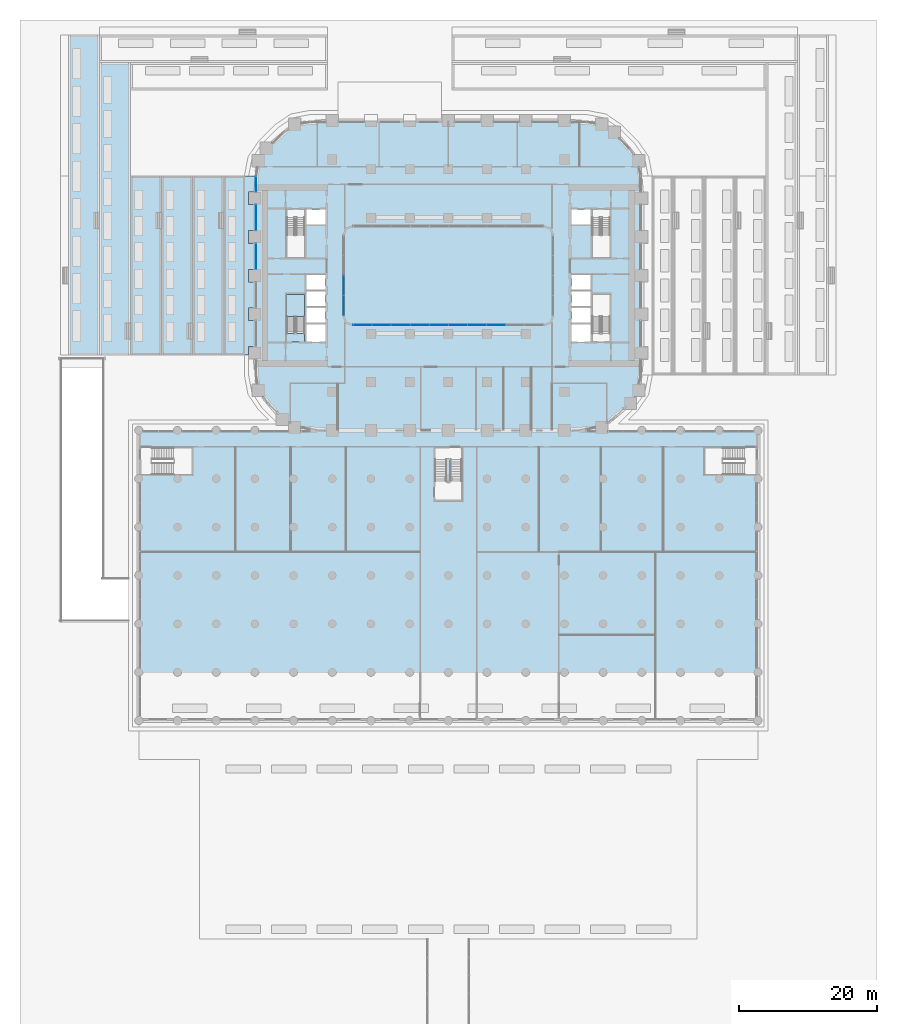
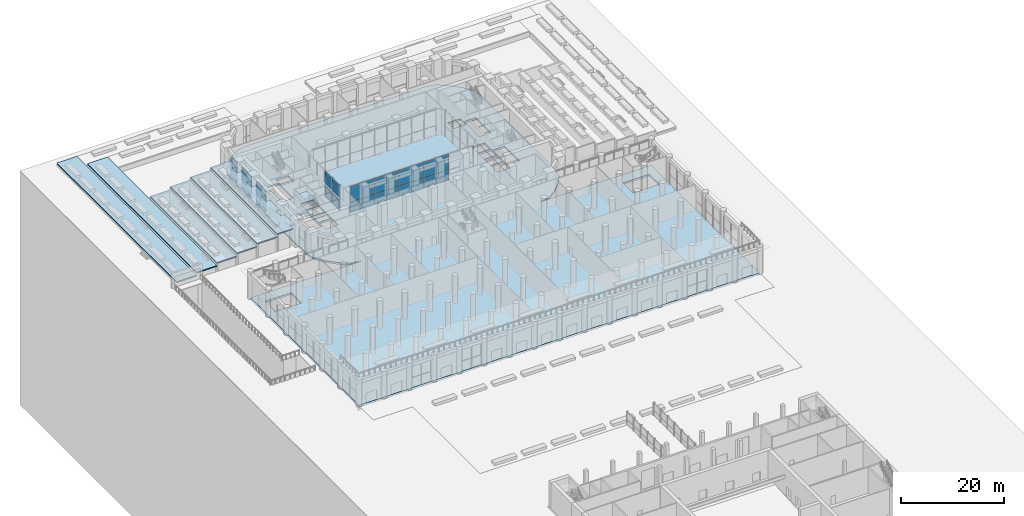
# One storey, part 24 of 51: 26 plates, 10 slabs, 6 elements without a shape of their own.
"""IFC4 building model written with IfcOpenShell, lengths in metres."""

import ifcopenshell
import ifcopenshell.guid

model = None  # the IFC model being written
_history = None  # IfcOwnerHistory: only IFC2X3 demands one
_inside = {}  # id of a spatial element -> (the spatial element, [elements in it])
_under = {}  # id of a project, library or spatial element -> (it, [spatial elements below it])
_declared = {}  # id of a project -> (the project, [libraries it declares])
_typed = {}  # id of a type object -> (the type object, [elements of that type])
_made_of = {}  # id of a material, layer set ... -> (it, [elements and type objects made of it])


def new_model(schema):
    """Start an empty IFC model of exactly this schema.

    Asked for "IFC4X3", IfcOpenShell would pick the latest addendum, in which some entities
    have other attributes; the version numbers below select the first issue.
    IFC2X3 requires an IfcOwnerHistory on every rooted entity: one is made here for all.
    """
    global model, _history
    if schema == "IFC4X3":
        model = ifcopenshell.file(schema_version=(4, 3, 0, 0))
    else:
        model = ifcopenshell.file(schema=schema)
    _inside.clear()
    _under.clear()
    _declared.clear()
    _typed.clear()
    _made_of.clear()
    _history = None
    if model.schema == "IFC2X3":
        org = make("IfcOrganization", Name="unknown")
        user = make(
            "IfcPersonAndOrganization",
            ThePerson=make("IfcPerson", FamilyName="unknown"),
            TheOrganization=org,
        )
        app = make(
            "IfcApplication",
            ApplicationDeveloper=org,
            Version="unknown",
            ApplicationFullName="unknown",
            ApplicationIdentifier="unknown",
        )
        _history = make(
            "IfcOwnerHistory",
            OwningUser=user,
            OwningApplication=app,
            ChangeAction="ADDED",
            CreationDate=0,
        )
    return model


def make(cls, **values):
    """One entity of the class cls with the attributes given. An attribute that is None is left unset."""
    return model.create_entity(
        cls, **{name: value for name, value in values.items() if value is not None}
    )


def rooted(cls, **values):
    """An entity with a GlobalId (a new one), such as an element, a storey or a relation."""
    return make(cls, GlobalId=ifcopenshell.guid.new(), OwnerHistory=_history, **values)


def si_unit(unit_type, name, prefix=None):
    """IfcSIUnit, for example si_unit("LENGTHUNIT", "METRE", prefix="MILLI")."""
    return make("IfcSIUnit", UnitType=unit_type, Prefix=prefix, Name=name)


def assignment(units):
    """IfcUnitAssignment: the units of a project."""
    return None if units is None else make("IfcUnitAssignment", Units=units)


def point(xyz):
    """IfcCartesianPoint."""
    return None if xyz is None else make("IfcCartesianPoint", Coordinates=xyz)


def direction(xyz):
    """IfcDirection."""
    return None if xyz is None else make("IfcDirection", DirectionRatios=xyz)


def frame(location, z_axis=None, x_axis=None):
    """IfcAxis2Placement3D, a coordinate frame: its origin and axes. An axis left out is left unset."""
    return make(
        "IfcAxis2Placement3D",
        Location=point(location),
        Axis=direction(z_axis),
        RefDirection=direction(x_axis),
    )


def frame_2d(location, x_axis=None):
    """IfcAxis2Placement2D, a coordinate frame in the plane: its origin and x axis."""
    return make(
        "IfcAxis2Placement2D", Location=point(location), RefDirection=direction(x_axis)
    )


def origin():
    """The frame at (0, 0, 0) with its axes left unset."""
    return frame((0.0, 0.0, 0.0))


def origin_2d():
    """The frame at (0, 0) in the plane with its x axis left unset."""
    return frame_2d((0.0, 0.0))


def place(relative_to, where):
    """IfcLocalPlacement: puts the frame where relative to a parent placement (None: the world)."""
    return make(
        "IfcLocalPlacement", PlacementRelTo=relative_to, RelativePlacement=where
    )


def context(
    kind, dimensions, precision=None, world=None, true_north=None, identifier=None
):
    """IfcGeometricRepresentationContext, for example the 3D "Model" context."""
    return make(
        "IfcGeometricRepresentationContext",
        ContextIdentifier=identifier,
        ContextType=kind,
        CoordinateSpaceDimension=dimensions,
        Precision=precision,
        WorldCoordinateSystem=world,
        TrueNorth=true_north,
    )


def subcontext(parent, identifier, kind, view, scale=None):
    """IfcGeometricRepresentationSubContext, for example "Body" below "Model"."""
    return make(
        "IfcGeometricRepresentationSubContext",
        ContextIdentifier=identifier,
        ContextType=kind,
        ParentContext=parent,
        TargetScale=scale,
        TargetView=view,
    )


def project(units=None, contexts=None):
    """IfcProject with its units and contexts."""
    return rooted(
        "IfcProject",
        Name="project",
        RepresentationContexts=contexts,
        UnitsInContext=assignment(units),
    )


def spatial(cls, under=None, at=None, **own):
    """A site, building, storey or space (cls), placed at a placement, below another one or the project."""
    s = rooted(cls, ObjectPlacement=at, **own)
    if under is not None:
        _under.setdefault(under.id(), (under, []))[1].append(s)
    return s


def polyline(points):
    """IfcPolyline through the points."""
    return make("IfcPolyline", Points=[point(p) for p in points])


def profile(cls, at=None, kind="AREA", **sizes):
    """A parametric profile (cls). Its sizes go by their IFC names, for example OverallWidth=200.0."""
    return make(cls, ProfileType=kind, Position=at, **sizes)


def rectangle(**sizes):
    """IfcRectangleProfileDef."""
    return profile("IfcRectangleProfileDef", **sizes)


def outline(outer, holes=None, kind="AREA"):
    """IfcArbitraryClosedProfileDef: a profile drawn as a closed curve; with holes, ...WithVoids."""
    if holes is None:
        return make("IfcArbitraryClosedProfileDef", ProfileType=kind, OuterCurve=outer)
    return make(
        "IfcArbitraryProfileDefWithVoids",
        ProfileType=kind,
        OuterCurve=outer,
        InnerCurves=holes,
    )


def extrude(swept, where, along, depth):
    """IfcExtrudedAreaSolid: the profile swept, set in the frame where, extruded along a direction by depth."""
    return make(
        "IfcExtrudedAreaSolid",
        SweptArea=swept,
        Position=where,
        ExtrudedDirection=direction(along),
        Depth=depth,
    )


def shape(context_of_items, identifier, shape_type, items):
    """IfcShapeRepresentation: the items that make up one representation, for example the "Body"."""
    return make(
        "IfcShapeRepresentation",
        ContextOfItems=context_of_items,
        RepresentationIdentifier=identifier,
        RepresentationType=shape_type,
        Items=items,
    )


def material(Name=None, Category=None):
    """IfcMaterial."""
    return make("IfcMaterial", Name=Name, Category=Category)


def layer(
    of_material, thickness, ventilated=None, Name=None, Category=None, Priority=None
):
    """IfcMaterialLayer: one layer of a wall or slab, of a material (None: an air gap)."""
    return make(
        "IfcMaterialLayer",
        Material=of_material,
        LayerThickness=thickness,
        IsVentilated=ventilated,
        Name=Name,
        Category=Category,
        Priority=Priority,
    )


def layer_set(layers, Name=None):
    """IfcMaterialLayerSet."""
    return make("IfcMaterialLayerSet", MaterialLayers=layers, LayerSetName=Name)


def made_of(thing, what):
    """Note that an element or type object is made of a material, layer set ...; save() writes the relation."""
    if what is not None:
        _made_of.setdefault(what.id(), (what, []))[1].append(thing)
    return thing


def type_object(cls, material=None, **own):
    """A type object (cls), such as IfcWallType, which elements share."""
    return made_of(rooted(cls, **own), material)


def element(
    cls,
    number,
    at=None,
    inside=None,
    cuts=None,
    type_object=None,
    material=None,
    context=None,
    identifier="Body",
    shape_type=None,
    held_by="IfcProductDefinitionShape",
    body=None,
    shapes=None,
    **own,
):
    """One element of the class cls, such as IfcWall. Its Tag is "e" and its number.

    at: its placement. inside: the storey or other place that contains it. cuts: it is an
    opening in that element (IfcRelVoidsElement). A single representation is given by context,
    identifier, shape_type and body (its items); several are given by shapes. held_by: the class
    of the entity that holds the representations. save() writes the other relations.
    """
    e = rooted(cls, Tag="e%d" % number, ObjectPlacement=at, **own)
    if body is not None:
        shapes = [shape(context, identifier, shape_type, body)]
    if shapes is not None:
        e.Representation = make(held_by, Representations=shapes)
    if inside is not None:
        _inside.setdefault(inside.id(), (inside, []))[1].append(e)
    if cuts is not None:
        rooted(
            "IfcRelVoidsElement", RelatingBuildingElement=cuts, RelatedOpeningElement=e
        )
    if type_object is not None:
        _typed.setdefault(type_object.id(), (type_object, []))[1].append(e)
    return made_of(e, material)


def aggregate(whole, parts):
    """IfcRelAggregates: a whole, such as a stair, and the parts it consists of."""
    return rooted("IfcRelAggregates", RelatingObject=whole, RelatedObjects=parts)


def save(model, path):
    """Write the relations noted so far, then the file.

    IfcRelAggregates (storeys below a building ...), IfcRelContainedInSpatialStructure (elements
    in a storey), IfcRelDefinesByType, IfcRelAssociatesMaterial and IfcRelDeclares: one each for
    every whole, place, type object, material and project.
    """
    for whole, parts in _under.values():
        aggregate(whole, parts)
    for where, things in _inside.values():
        rooted(
            "IfcRelContainedInSpatialStructure",
            RelatedElements=things,
            RelatingStructure=where,
        )
    for kind, things in _typed.values():
        rooted("IfcRelDefinesByType", RelatedObjects=things, RelatingType=kind)
    for what, things in _made_of.values():
        rooted("IfcRelAssociatesMaterial", RelatedObjects=things, RelatingMaterial=what)
    for by, libraries in _declared.values():
        rooted("IfcRelDeclares", RelatingContext=by, RelatedDefinitions=libraries)
    model.write(path)


model = new_model("IFC4")

# Units and contexts
model_context = context("Model", 3, precision=1e-05, world=origin(), true_north=direction((0.0, 1.0)))
body_context = subcontext(model_context, "Body", "Model", "MODEL_VIEW")
ifc_project = project(units=[si_unit("LENGTHUNIT", "METRE"), si_unit("AREAUNIT", "SQUARE_METRE"), si_unit("VOLUMEUNIT", "CUBIC_METRE"), si_unit("PLANEANGLEUNIT", "RADIAN"), si_unit("MASSUNIT", "GRAM", prefix="KILO")], contexts=[model_context])

# Site, building, storey
site_placement = place(None, origin())
site = spatial("IfcSite", under=ifc_project, at=site_placement, CompositionType="ELEMENT")
building_placement = place(site_placement, origin())
building = spatial("IfcBuilding", under=site, at=building_placement, Name="Kiln Ring Residences", CompositionType="ELEMENT")
storey_placement = place(building_placement, origin())
storey = spatial("IfcBuildingStorey", under=building, at=storey_placement, Name="L00", CompositionType="ELEMENT", Elevation=0.0)

# Stair, slabs
ifc_material_1 = material(Name="Concrete C40/50", Category="concrete")
stair_type = type_object("IfcStairType", Name="CORE-STAIR", PredefinedType="HALF_TURN_STAIR", material=ifc_material_1)
placement = place(storey_placement, origin())
stair = element("IfcStair", 1, at=placement, inside=storey, type_object=stair_type, Name="L00 stair W-STS", PredefinedType="HALF_TURN_STAIR")
ifc_material_2 = material(Name="Concrete C40/50", Category="concrete")
ifc_layer_1 = layer(ifc_material_2, 0.199951171875)
ifc_layer_set_1 = layer_set([ifc_layer_1], Name="CORE-STAIR-LANDING")
slab_type_1 = type_object("IfcSlabType", Name="CORE-STAIR-LANDING", PredefinedType="LANDING", material=ifc_layer_set_1)
slab_1_placement = place(storey_placement, frame((0.0, 0.0, 1.425048828125)))
slab_1 = element("IfcSlab", 2, at=slab_1_placement, type_object=slab_type_1, Name="W-STS landing 1", PredefinedType="LANDING", context=body_context, shape_type="SweptSolid", body=[
    extrude(outline(polyline([(-20.800048828125, -5.8798828125), (-20.800048828125, -2.699951171875), (-23.39990234375, -2.699951171875), (-23.39990234375, -5.8798828125), (-20.800048828125, -5.8798828125)])), origin(), (0.0, 0.0, 1.0), 0.199951171875),
])
slab_2_placement = place(storey_placement, frame((0.0, 0.0, 3.050048828125)))
slab_2 = element("IfcSlab", 3, at=slab_2_placement, type_object=slab_type_1, Name="W-STS landing 2", PredefinedType="LANDING", context=body_context, shape_type="SweptSolid", body=[
    extrude(outline(polyline([(-20.800048828125, -9.60009765625), (-20.800048828125, -8.39990234375), (-23.39990234375, -8.39990234375), (-23.39990234375, -9.60009765625), (-20.800048828125, -9.60009765625)])), origin(), (0.0, 0.0, 1.0), 0.199951171875),
])
slab_3_placement = place(storey_placement, frame((0.0, 0.0, 4.675048828125)))
slab_3 = element("IfcSlab", 4, at=slab_3_placement, type_object=slab_type_1, Name="W-STS landing 3", PredefinedType="LANDING", context=body_context, shape_type="SweptSolid", body=[
    extrude(outline(polyline([(-20.800048828125, -5.8798828125), (-20.800048828125, -2.699951171875), (-23.39990234375, -2.699951171875), (-23.39990234375, -5.8798828125), (-20.800048828125, -5.8798828125)])), origin(), (0.0, 0.0, 1.0), 0.199951171875),
])
aggregate(stair, [slab_1, slab_2, slab_3])

# Curtain wall, plates
ifc_material_3 = material(Name="Aluminium and glass", Category="aluminium")
ifc_layer_2 = layer(ifc_material_3, 0.179931640625)
ifc_layer_set_2 = layer_set([ifc_layer_2], Name="CW2 CURTAIN WALL")
curtain_wall_type = type_object("IfcCurtainWallType", Name="CW2 CURTAIN WALL", PredefinedType="NOTDEFINED", material=ifc_layer_set_2)
curtain_wall_1 = element("IfcCurtainWall", 5, at=placement, inside=storey, type_object=curtain_wall_type, Name="Curtain wall CW2 L00", PredefinedType="NOTDEFINED")
ifc_material_4 = material(Name="Glass, clear toughened", Category="glass")
ifc_layer_3 = layer(ifc_material_4, 0.02392578125)
ifc_layer_set_3 = layer_set([ifc_layer_3], Name="CW2 PANEL 24")
plate_type = type_object("IfcPlateType", Name="CW2 PANEL 24", PredefinedType="CURTAIN_PANEL", material=ifc_layer_set_3)
plate_1_placement = place(storey_placement, frame((-27.85009765625, 13.25, 0.0498046875), z_axis=(0.0, 0.0, 1.0), x_axis=(0.0, -1.0, 0.0)))
plate_1 = element("IfcPlate", 6, at=plate_1_placement, type_object=plate_type, Name="CW2 panel 1.1", PredefinedType="CURTAIN_PANEL", context=body_context, shape_type="SweptSolid", body=[
    extrude(rectangle(XDim=2.199951171875, YDim=0.02392578125, at=origin_2d()), origin(), (0.0, 0.0, 1.0), 2.324951171875),
])
plate_2_placement = place(storey_placement, frame((-27.85009765625, 13.25, 2.425048828125), z_axis=(0.0, 0.0, 1.0), x_axis=(0.0, -1.0, 0.0)))
plate_2 = element("IfcPlate", 7, at=plate_2_placement, type_object=plate_type, Name="CW2 panel 1.2", PredefinedType="CURTAIN_PANEL", context=body_context, shape_type="SweptSolid", body=[
    extrude(rectangle(XDim=2.199951171875, YDim=0.02392578125, at=origin_2d()), origin(), (0.0, 0.0, 1.0), 2.77490234375),
])
aggregate(curtain_wall_1, [plate_1, plate_2])

curtain_wall_2 = element("IfcCurtainWall", 8, at=placement, inside=storey, type_object=curtain_wall_type, Name="Curtain wall CW2 L00", PredefinedType="NOTDEFINED")
plate_3_placement = place(storey_placement, frame((-27.85009765625, 8.39990234375, 0.0498046875), z_axis=(0.0, 0.0, 1.0), x_axis=(0.0, -1.0, 0.0)))
plate_3 = element("IfcPlate", 9, at=plate_3_placement, type_object=plate_type, Name="CW2 panel 1.1", PredefinedType="CURTAIN_PANEL", context=body_context, shape_type="SweptSolid", body=[
    extrude(rectangle(XDim=3.699951171875, YDim=0.02392578125, at=origin_2d()), origin(), (0.0, 0.0, 1.0), 2.324951171875),
])
plate_4_placement = place(storey_placement, frame((-27.85009765625, 8.39990234375, 2.425048828125), z_axis=(0.0, 0.0, 1.0), x_axis=(0.0, -1.0, 0.0)))
plate_4 = element("IfcPlate", 10, at=plate_4_placement, type_object=plate_type, Name="CW2 panel 1.2", PredefinedType="CURTAIN_PANEL", context=body_context, shape_type="SweptSolid", body=[
    extrude(rectangle(XDim=3.699951171875, YDim=0.02392578125, at=origin_2d()), origin(), (0.0, 0.0, 1.0), 2.77490234375),
])
aggregate(curtain_wall_2, [plate_3, plate_4])

curtain_wall_3 = element("IfcCurtainWall", 11, at=placement, inside=storey, type_object=curtain_wall_type, Name="Curtain wall CW2 L00", PredefinedType="NOTDEFINED")
plate_5_placement = place(storey_placement, frame((-27.85009765625, 2.800048828125, 0.0498046875), z_axis=(0.0, 0.0, 1.0), x_axis=(0.0, -1.0, 0.0)))
plate_5 = element("IfcPlate", 12, at=plate_5_placement, type_object=plate_type, Name="CW2 panel 1.1", PredefinedType="CURTAIN_PANEL", context=body_context, shape_type="SweptSolid", body=[
    extrude(rectangle(XDim=3.699951171875, YDim=0.02392578125, at=origin_2d()), origin(), (0.0, 0.0, 1.0), 2.324951171875),
])
plate_6_placement = place(storey_placement, frame((-27.85009765625, 2.800048828125, 2.425048828125), z_axis=(0.0, 0.0, 1.0), x_axis=(0.0, -1.0, 0.0)))
plate_6 = element("IfcPlate", 13, at=plate_6_placement, type_object=plate_type, Name="CW2 panel 1.2", PredefinedType="CURTAIN_PANEL", context=body_context, shape_type="SweptSolid", body=[
    extrude(rectangle(XDim=3.699951171875, YDim=0.02392578125, at=origin_2d()), origin(), (0.0, 0.0, 1.0), 2.77490234375),
])
aggregate(curtain_wall_3, [plate_5, plate_6])

curtain_wall_4 = element("IfcCurtainWall", 14, at=placement, inside=storey, type_object=curtain_wall_type, Name="Curtain wall CW2 L00", PredefinedType="NOTDEFINED")
plate_7_placement = place(storey_placement, frame((-15.14990234375, -4.33740234375, 0.0498046875), z_axis=(0.0, 0.0, 1.0), x_axis=(0.0, 1.0, 0.0)))
plate_7 = element("IfcPlate", 15, at=plate_7_placement, type_object=plate_type, Name="CW2 panel 1.1", PredefinedType="CURTAIN_PANEL", context=body_context, shape_type="SweptSolid", body=[
    extrude(rectangle(XDim=2.824951171875, YDim=0.02392578125, at=origin_2d()), origin(), (0.0, 0.0, 1.0), 2.324951171875),
])
plate_8_placement = place(storey_placement, frame((-15.14990234375, -4.33740234375, 2.4248046875), z_axis=(0.0, 0.0, 1.0), x_axis=(0.0, 1.0, 0.0)))
plate_8 = element("IfcPlate", 16, at=plate_8_placement, type_object=plate_type, Name="CW2 panel 1.2", PredefinedType="CURTAIN_PANEL", context=body_context, shape_type="SweptSolid", body=[
    extrude(rectangle(XDim=2.824951171875, YDim=0.02392578125, at=origin_2d()), origin(), (0.0, 0.0, 1.0), 3.675048828125),
])
plate_9_placement = place(storey_placement, frame((-15.14990234375, -1.449951171875, 0.0498046875), z_axis=(0.0, 0.0, 1.0), x_axis=(0.0, 1.0, 0.0)))
plate_9 = element("IfcPlate", 17, at=plate_9_placement, type_object=plate_type, Name="CW2 panel 2.1", PredefinedType="CURTAIN_PANEL", context=body_context, shape_type="SweptSolid", body=[
    extrude(rectangle(XDim=2.85009765625, YDim=0.02392578125, at=origin_2d()), origin(), (0.0, 0.0, 1.0), 2.324951171875),
])
plate_10_placement = place(storey_placement, frame((-15.14990234375, -1.449951171875, 2.4248046875), z_axis=(0.0, 0.0, 1.0), x_axis=(0.0, 1.0, 0.0)))
plate_10 = element("IfcPlate", 18, at=plate_10_placement, type_object=plate_type, Name="CW2 panel 2.2", PredefinedType="CURTAIN_PANEL", context=body_context, shape_type="SweptSolid", body=[
    extrude(rectangle(XDim=2.85009765625, YDim=0.02392578125, at=origin_2d()), origin(), (0.0, 0.0, 1.0), 3.675048828125),
])
aggregate(curtain_wall_4, [plate_7, plate_8, plate_9, plate_10])

curtain_wall_5 = element("IfcCurtainWall", 19, at=placement, inside=storey, type_object=curtain_wall_type, Name="Curtain wall CW2 L00", PredefinedType="NOTDEFINED")
plate_11_placement = place(storey_placement, frame((6.89990234375, -7.14990234375, 0.0498046875), z_axis=(0.0, 0.0, 1.0), x_axis=(-1.0, 0.0, 0.0)))
plate_11 = element("IfcPlate", 20, at=plate_11_placement, type_object=plate_type, Name="CW2 panel 3.1", PredefinedType="CURTAIN_PANEL", context=body_context, shape_type="SweptSolid", body=[
    extrude(rectangle(XDim=2.7099609375, YDim=0.02392578125, at=origin_2d()), origin(), (0.0, 0.0, 1.0), 2.324951171875),
])
plate_12_placement = place(storey_placement, frame((6.89990234375, -7.14990234375, 2.4248046875), z_axis=(0.0, 0.0, 1.0), x_axis=(-1.0, 0.0, 0.0)))
plate_12 = element("IfcPlate", 21, at=plate_12_placement, type_object=plate_type, Name="CW2 panel 3.2", PredefinedType="CURTAIN_PANEL", context=body_context, shape_type="SweptSolid", body=[
    extrude(rectangle(XDim=2.7099609375, YDim=0.02392578125, at=origin_2d()), origin(), (0.0, 0.0, 1.0), 3.675048828125),
])
plate_13_placement = place(storey_placement, frame((4.139892578125, -7.14990234375, 0.0498046875), z_axis=(0.0, 0.0, 1.0), x_axis=(-1.0, 0.0, 0.0)))
plate_13 = element("IfcPlate", 22, at=plate_13_placement, type_object=plate_type, Name="CW2 panel 4.1", PredefinedType="CURTAIN_PANEL", context=body_context, shape_type="SweptSolid", body=[
    extrude(rectangle(XDim=2.7099609375, YDim=0.02392578125, at=origin_2d()), origin(), (0.0, 0.0, 1.0), 2.324951171875),
])
plate_14_placement = place(storey_placement, frame((4.139892578125, -7.14990234375, 2.4248046875), z_axis=(0.0, 0.0, 1.0), x_axis=(-1.0, 0.0, 0.0)))
plate_14 = element("IfcPlate", 23, at=plate_14_placement, type_object=plate_type, Name="CW2 panel 4.2", PredefinedType="CURTAIN_PANEL", context=body_context, shape_type="SweptSolid", body=[
    extrude(rectangle(XDim=2.7099609375, YDim=0.02392578125, at=origin_2d()), origin(), (0.0, 0.0, 1.0), 3.675048828125),
])
plate_15_placement = place(storey_placement, frame((1.3798828125, -7.14990234375, 0.0498046875), z_axis=(0.0, 0.0, 1.0), x_axis=(-1.0, 0.0, 0.0)))
plate_15 = element("IfcPlate", 24, at=plate_15_placement, type_object=plate_type, Name="CW2 panel 5.1", PredefinedType="CURTAIN_PANEL", context=body_context, shape_type="SweptSolid", body=[
    extrude(rectangle(XDim=2.7099609375, YDim=0.02392578125, at=origin_2d()), origin(), (0.0, 0.0, 1.0), 2.324951171875),
])
plate_16_placement = place(storey_placement, frame((1.3798828125, -7.14990234375, 2.4248046875), z_axis=(0.0, 0.0, 1.0), x_axis=(-1.0, 0.0, 0.0)))
plate_16 = element("IfcPlate", 25, at=plate_16_placement, type_object=plate_type, Name="CW2 panel 5.2", PredefinedType="CURTAIN_PANEL", context=body_context, shape_type="SweptSolid", body=[
    extrude(rectangle(XDim=2.7099609375, YDim=0.02392578125, at=origin_2d()), origin(), (0.0, 0.0, 1.0), 3.675048828125),
])
plate_17_placement = place(storey_placement, frame((-1.3798828125, -7.14990234375, 0.0498046875), z_axis=(0.0, 0.0, 1.0), x_axis=(-1.0, 0.0, 0.0)))
plate_17 = element("IfcPlate", 26, at=plate_17_placement, type_object=plate_type, Name="CW2 panel 6.1", PredefinedType="CURTAIN_PANEL", context=body_context, shape_type="SweptSolid", body=[
    extrude(rectangle(XDim=2.7099609375, YDim=0.02392578125, at=origin_2d()), origin(), (0.0, 0.0, 1.0), 2.324951171875),
])
plate_18_placement = place(storey_placement, frame((-1.3798828125, -7.14990234375, 2.4248046875), z_axis=(0.0, 0.0, 1.0), x_axis=(-1.0, 0.0, 0.0)))
plate_18 = element("IfcPlate", 27, at=plate_18_placement, type_object=plate_type, Name="CW2 panel 6.2", PredefinedType="CURTAIN_PANEL", context=body_context, shape_type="SweptSolid", body=[
    extrude(rectangle(XDim=2.7099609375, YDim=0.02392578125, at=origin_2d()), origin(), (0.0, 0.0, 1.0), 3.675048828125),
])
plate_19_placement = place(storey_placement, frame((-4.139892578125, -7.14990234375, 0.0498046875), z_axis=(0.0, 0.0, 1.0), x_axis=(-1.0, 0.0, 0.0)))
plate_19 = element("IfcPlate", 28, at=plate_19_placement, type_object=plate_type, Name="CW2 panel 7.1", PredefinedType="CURTAIN_PANEL", context=body_context, shape_type="SweptSolid", body=[
    extrude(rectangle(XDim=2.7099609375, YDim=0.02392578125, at=origin_2d()), origin(), (0.0, 0.0, 1.0), 2.324951171875),
])
plate_20_placement = place(storey_placement, frame((-4.139892578125, -7.14990234375, 2.4248046875), z_axis=(0.0, 0.0, 1.0), x_axis=(-1.0, 0.0, 0.0)))
plate_20 = element("IfcPlate", 29, at=plate_20_placement, type_object=plate_type, Name="CW2 panel 7.2", PredefinedType="CURTAIN_PANEL", context=body_context, shape_type="SweptSolid", body=[
    extrude(rectangle(XDim=2.7099609375, YDim=0.02392578125, at=origin_2d()), origin(), (0.0, 0.0, 1.0), 3.675048828125),
])
plate_21_placement = place(storey_placement, frame((-6.89990234375, -7.14990234375, 0.0498046875), z_axis=(0.0, 0.0, 1.0), x_axis=(-1.0, 0.0, 0.0)))
plate_21 = element("IfcPlate", 30, at=plate_21_placement, type_object=plate_type, Name="CW2 panel 8.1", PredefinedType="CURTAIN_PANEL", context=body_context, shape_type="SweptSolid", body=[
    extrude(rectangle(XDim=2.7099609375, YDim=0.02392578125, at=origin_2d()), origin(), (0.0, 0.0, 1.0), 2.324951171875),
])
plate_22_placement = place(storey_placement, frame((-6.89990234375, -7.14990234375, 2.4248046875), z_axis=(0.0, 0.0, 1.0), x_axis=(-1.0, 0.0, 0.0)))
plate_22 = element("IfcPlate", 31, at=plate_22_placement, type_object=plate_type, Name="CW2 panel 8.2", PredefinedType="CURTAIN_PANEL", context=body_context, shape_type="SweptSolid", body=[
    extrude(rectangle(XDim=2.7099609375, YDim=0.02392578125, at=origin_2d()), origin(), (0.0, 0.0, 1.0), 3.675048828125),
])
plate_23_placement = place(storey_placement, frame((-9.659912109375, -7.14990234375, 0.0498046875), z_axis=(0.0, 0.0, 1.0), x_axis=(-1.0, 0.0, 0.0)))
plate_23 = element("IfcPlate", 32, at=plate_23_placement, type_object=plate_type, Name="CW2 panel 9.1", PredefinedType="CURTAIN_PANEL", context=body_context, shape_type="SweptSolid", body=[
    extrude(rectangle(XDim=2.7099609375, YDim=0.02392578125, at=origin_2d()), origin(), (0.0, 0.0, 1.0), 2.324951171875),
])
plate_24_placement = place(storey_placement, frame((-9.659912109375, -7.14990234375, 2.4248046875), z_axis=(0.0, 0.0, 1.0), x_axis=(-1.0, 0.0, 0.0)))
plate_24 = element("IfcPlate", 33, at=plate_24_placement, type_object=plate_type, Name="CW2 panel 9.2", PredefinedType="CURTAIN_PANEL", context=body_context, shape_type="SweptSolid", body=[
    extrude(rectangle(XDim=2.7099609375, YDim=0.02392578125, at=origin_2d()), origin(), (0.0, 0.0, 1.0), 3.675048828125),
])
plate_25_placement = place(storey_placement, frame((-12.407470703125, -7.14990234375, 0.0498046875), z_axis=(0.0, 0.0, 1.0), x_axis=(-1.0, 0.0, 0.0)))
plate_25 = element("IfcPlate", 34, at=plate_25_placement, type_object=plate_type, Name="CW2 panel 10.1", PredefinedType="CURTAIN_PANEL", context=body_context, shape_type="SweptSolid", body=[
    extrude(rectangle(XDim=2.68505859375, YDim=0.02392578125, at=origin_2d()), origin(), (0.0, 0.0, 1.0), 2.324951171875),
])
plate_26_placement = place(storey_placement, frame((-12.407470703125, -7.14990234375, 2.4248046875), z_axis=(0.0, 0.0, 1.0), x_axis=(-1.0, 0.0, 0.0)))
plate_26 = element("IfcPlate", 35, at=plate_26_placement, type_object=plate_type, Name="CW2 panel 10.2", PredefinedType="CURTAIN_PANEL", context=body_context, shape_type="SweptSolid", body=[
    extrude(rectangle(XDim=2.68505859375, YDim=0.02392578125, at=origin_2d()), origin(), (0.0, 0.0, 1.0), 3.675048828125),
])
aggregate(curtain_wall_5, [plate_11, plate_12, plate_13, plate_14, plate_15, plate_16, plate_17, plate_18, plate_19, plate_20, plate_21, plate_22, plate_23, plate_24, plate_25, plate_26])

# Slabs
ifc_material_5 = material(Name="Concrete C40/50", Category="concrete")
ifc_layer_4 = layer(ifc_material_5, 0.449951171875)
ifc_layer_set_4 = layer_set([ifc_layer_4], Name="Ground floor slab 450")
slab_type_2 = type_object("IfcSlabType", Name="Ground floor slab 450", PredefinedType="FLOOR", material=ifc_layer_set_4)
slab_4_placement = place(storey_placement, frame((0.0, 0.0, -0.449951171875)))
element("IfcSlab", 36, at=slab_4_placement, inside=storey, type_object=slab_type_2, Name="Ground floor slab L00 1", PredefinedType="FLOOR", context=body_context, shape_type="SweptSolid", body=[
    extrude(outline(polyline([(44.800048828125, -22.39990234375), (20.0, -22.39990234375), (22.224365234375, -21.975830078125), (24.09716796875, -20.702880859375), (26.302978515625, -18.4970703125), (27.57568359375, -16.624267578125), (28.0, -14.39990234375), (28.0, 14.39990234375), (27.57568359375, 16.624267578125), (26.302978515625, 18.4970703125), (24.09716796875, 20.702880859375), (22.224365234375, 21.975830078125), (20.0, 22.39990234375), (-20.0, 22.39990234375), (-22.224365234375, 21.975830078125), (-24.09716796875, 20.702880859375), (-26.302978515625, 18.4970703125), (-27.57568359375, 16.624267578125), (-28.0, 14.39990234375), (-28.0, -14.39990234375), (-27.57568359375, -16.624267578125), (-26.302978515625, -18.4970703125), (-24.09716796875, -20.702880859375), (-22.224365234375, -21.975830078125), (-20.0, -22.39990234375), (-44.800048828125, -22.39990234375), (-44.800048828125, -64.39990234375), (44.800048828125, -64.39990234375), (44.800048828125, -22.39990234375)]), holes=[polyline([(42.89794921875, -24.89990234375), (42.89794921875, -28.800048828125), (37.10009765625, -28.800048828125), (37.10009765625, -24.89990234375), (42.89794921875, -24.89990234375)]), polyline([(20.800048828125, -8.39794921875), (20.800048828125, -2.699951171875), (23.39990234375, -2.699951171875), (23.39990234375, -8.39794921875), (20.800048828125, -8.39794921875)]), polyline([(20.800048828125, 2.60009765625), (20.800048828125, 8.39794921875), (23.39990234375, 8.39794921875), (23.39990234375, 2.60009765625), (20.800048828125, 2.60009765625)]), polyline([(17.800048828125, -9.60009765625), (17.800048828125, -7.050048828125), (20.60009765625, -7.050048828125), (20.60009765625, -9.60009765625), (17.800048828125, -9.60009765625)]), polyline([(17.800048828125, -6.85009765625), (17.800048828125, -4.64990234375), (20.60009765625, -4.64990234375), (20.60009765625, -6.85009765625), (17.800048828125, -6.85009765625)]), polyline([(17.800048828125, -4.449951171875), (17.800048828125, -2.25), (20.60009765625, -2.25), (20.60009765625, -4.449951171875), (17.800048828125, -4.449951171875)]), polyline([(17.800048828125, -2.050048828125), (17.800048828125, 0.14990234375), (20.60009765625, 0.14990234375), (20.60009765625, -2.050048828125), (17.800048828125, -2.050048828125)]), polyline([(17.800048828125, 7.39990234375), (17.800048828125, 9.60009765625), (20.60009765625, 9.60009765625), (20.60009765625, 7.39990234375), (17.800048828125, 7.39990234375)]), polyline([(-17.800048828125, -9.60009765625), (-20.60009765625, -9.60009765625), (-20.60009765625, -7.050048828125), (-17.800048828125, -7.050048828125), (-17.800048828125, -9.60009765625)]), polyline([(-17.800048828125, -6.85009765625), (-20.60009765625, -6.85009765625), (-20.60009765625, -4.64990234375), (-17.800048828125, -4.64990234375), (-17.800048828125, -6.85009765625)]), polyline([(-17.800048828125, -4.449951171875), (-20.60009765625, -4.449951171875), (-20.60009765625, -2.25), (-17.800048828125, -2.25), (-17.800048828125, -4.449951171875)]), polyline([(-17.800048828125, -2.050048828125), (-20.60009765625, -2.050048828125), (-20.60009765625, 0.14990234375), (-17.800048828125, 0.14990234375), (-17.800048828125, -2.050048828125)]), polyline([(-17.800048828125, 7.39990234375), (-20.60009765625, 7.39990234375), (-20.60009765625, 9.60009765625), (-17.800048828125, 9.60009765625), (-17.800048828125, 7.39990234375)]), polyline([(-20.800048828125, -8.39794921875), (-23.39990234375, -8.39794921875), (-23.39990234375, -2.699951171875), (-20.800048828125, -2.699951171875), (-20.800048828125, -8.39794921875)]), polyline([(-20.800048828125, 2.60009765625), (-23.39990234375, 2.60009765625), (-23.39990234375, 8.39794921875), (-20.800048828125, 8.39794921875), (-20.800048828125, 2.60009765625)]), polyline([(-42.89794921875, -28.800048828125), (-42.89794921875, -24.89990234375), (-37.10009765625, -24.89990234375), (-37.10009765625, -28.800048828125), (-42.89794921875, -28.800048828125)])]), origin(), (0.0, 0.0, 1.0), 0.449951171875),
])
ifc_material_6 = material(Name="Concrete C35/45", Category="concrete")
ifc_layer_5 = layer(ifc_material_6, 0.25)
ifc_layer_set_5 = layer_set([ifc_layer_5], Name="TERRACE SLAB 250")
slab_type_3 = type_object("IfcSlabType", Name="TERRACE SLAB 250", PredefinedType="FLOOR", material=ifc_layer_set_5)
slab_5_placement = place(storey_placement, frame((0.0, 0.0, 3.949951171875)))
element("IfcSlab", 37, at=slab_5_placement, inside=storey, type_object=slab_type_3, Name="Planted terrace W1", PredefinedType="FLOOR", context=body_context, shape_type="SweptSolid", body=[
    extrude(outline(polyline([(-28.0, -10.280029296875), (-28.0, -6.52001953125), (-28.919921875, -6.52001953125), (-28.919921875, -4.679931640625), (-28.0, -4.679931640625), (-28.0, -0.919921875), (-28.919921875, -0.919921875), (-28.919921875, 0.919921875), (-28.0, 0.919921875), (-28.0, 4.679931640625), (-28.919921875, 4.679931640625), (-28.919921875, 6.52001953125), (-28.0, 6.52001953125), (-28.0, 10.280029296875), (-28.919921875, 10.280029296875), (-28.919921875, 12.1201171875), (-28.0, 12.1201171875), (-28.0, 14.39990234375), (-32.5, 14.39990234375), (-32.5, -11.5), (-28.919921875, -11.5), (-28.919921875, -10.280029296875), (-28.0, -10.280029296875)])), origin(), (0.0, 0.0, 1.0), 0.25),
])
slab_6_placement = place(storey_placement, frame((0.0, 0.0, 3.25)))
element("IfcSlab", 38, at=slab_6_placement, inside=storey, type_object=slab_type_3, Name="Planted terrace W2", PredefinedType="FLOOR", context=body_context, shape_type="SweptSolid", body=[
    extrude(outline(polyline([(-32.5, -11.5), (-32.5, 14.39990234375), (-37.0, 14.39990234375), (-37.0, -11.5), (-32.5, -11.5)])), origin(), (0.0, 0.0, 1.0), 0.25),
])
slab_7_placement = place(storey_placement, frame((0.0, 0.0, 2.550048828125)))
element("IfcSlab", 39, at=slab_7_placement, inside=storey, type_object=slab_type_3, Name="Planted terrace W3", PredefinedType="FLOOR", context=body_context, shape_type="SweptSolid", body=[
    extrude(outline(polyline([(-37.0, -11.5), (-37.0, 14.39990234375), (-41.5, 14.39990234375), (-41.5, -11.5), (-37.0, -11.5)])), origin(), (0.0, 0.0, 1.0), 0.25),
])
slab_8_placement = place(storey_placement, frame((0.0, 0.0, 1.85009765625)))
element("IfcSlab", 40, at=slab_8_placement, inside=storey, type_object=slab_type_3, Name="Planted terrace W4", PredefinedType="FLOOR", context=body_context, shape_type="SweptSolid", body=[
    extrude(outline(polyline([(-41.5, -11.5), (-41.5, 14.39990234375), (-46.0, 14.39990234375), (-46.0, -11.5), (-41.5, -11.5)])), origin(), (0.0, 0.0, 1.0), 0.25),
])
slab_9_placement = place(storey_placement, frame((0.0, 0.0, 1.14990234375)))
element("IfcSlab", 41, at=slab_9_placement, inside=storey, type_object=slab_type_3, Name="Planted terrace W5", PredefinedType="FLOOR", context=body_context, shape_type="SweptSolid", body=[
    extrude(outline(polyline([(-46.0, -11.5), (-46.0, 30.85009765625), (-50.5, 30.85009765625), (-50.5, -11.5), (-46.0, -11.5)])), origin(), (0.0, 0.0, 1.0), 0.25),
])
slab_10_placement = place(storey_placement, frame((0.0, 0.0, 0.449951171875)))
element("IfcSlab", 42, at=slab_10_placement, inside=storey, type_object=slab_type_3, Name="Planted terrace W6", PredefinedType="FLOOR", context=body_context, shape_type="SweptSolid", body=[
    extrude(outline(polyline([(-50.5, -11.5), (-50.5, 34.85009765625), (-55.0, 34.85009765625), (-55.0, -11.5), (-50.5, -11.5)])), origin(), (0.0, 0.0, 1.0), 0.25),
])

save(model, "model.ifc")
